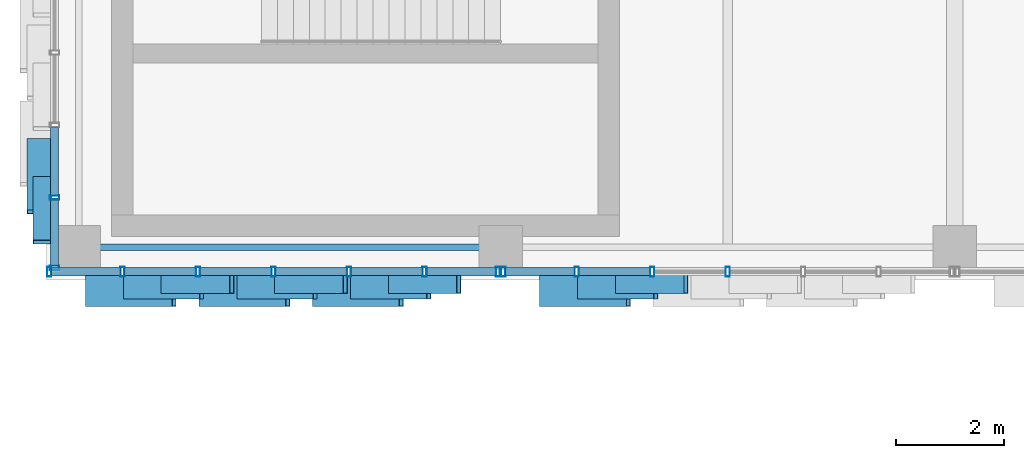
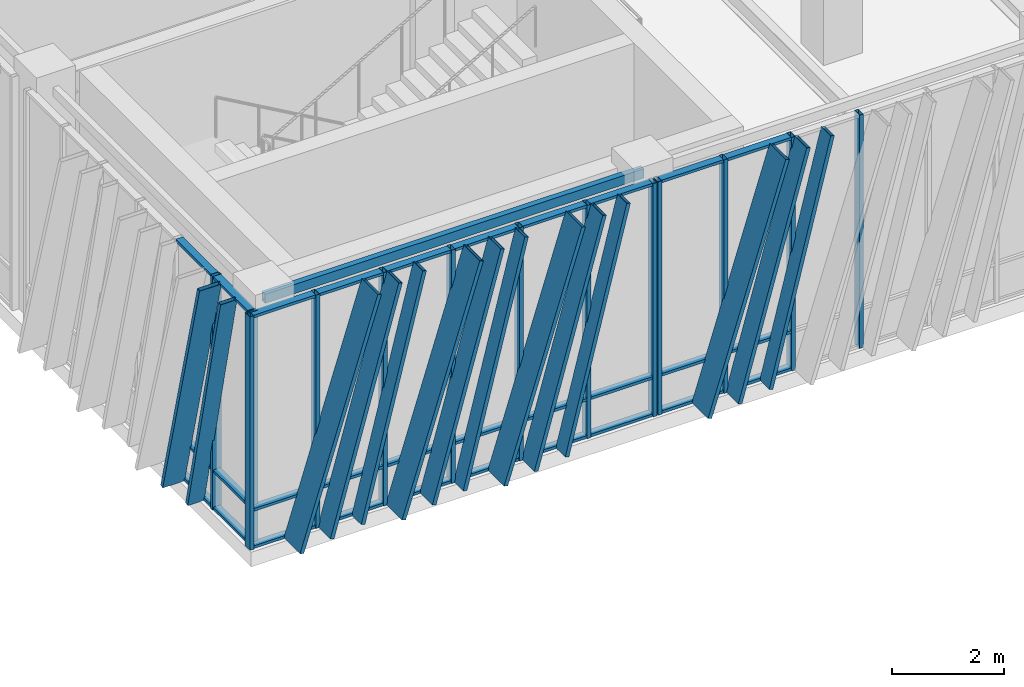
# One storey, part 13 of 139: 57 members, 1 beam, 3 elements without a shape of their own.
"""IFC4 building model written with IfcOpenShell, lengths in metres."""

from ifc_helpers import new_model, si_unit, direction, frame, origin, origin_2d, place, context, subcontext, project, spatial, hollow_rectangle, extrude, material, layer, layer_set, material_profile, profile_set, type_object, element, aggregate, save


model = new_model("IFC4")

# Units and contexts
model_context = context("Model", 3, precision=1e-05, world=origin(), true_north=direction((0.0, 1.0)))
body_context = subcontext(model_context, "Body", "Model", "MODEL_VIEW")
ifc_project = project(units=[si_unit("LENGTHUNIT", "METRE"), si_unit("AREAUNIT", "SQUARE_METRE"), si_unit("VOLUMEUNIT", "CUBIC_METRE"), si_unit("PLANEANGLEUNIT", "RADIAN"), si_unit("MASSUNIT", "GRAM", prefix="KILO")], contexts=[model_context])

# Site, building, storey
site_placement = place(None, origin())
site = spatial("IfcSite", under=ifc_project, at=site_placement, CompositionType="ELEMENT")
building_placement = place(site_placement, origin())
building = spatial("IfcBuilding", under=site, at=building_placement, Name="Zayran Congress Hotel", CompositionType="ELEMENT")
storey_placement = place(building_placement, frame((0.0, 0.0, 5.39990234375)))
storey = spatial("IfcBuildingStorey", under=building, at=storey_placement, Name="L01", CompositionType="ELEMENT", Elevation=5.39990234375)

# Beam
ifc_material_1 = material(Name="Steel S355", Category="steel")
ifc_material_profile_1 = material_profile(ifc_material_1, hollow_rectangle(XDim=0.1201171875, YDim=0.199951171875, WallThickness=0.008056640625, at=origin_2d()), Name="RHS 200x120x8")
ifc_profile_set_1 = profile_set([ifc_material_profile_1], Name="Steel S355")
beam_type = type_object("IfcBeamType", Name="TP-SP-02", PredefinedType="SPANDREL", material=ifc_profile_set_1)
beam_placement = place(storey_placement, frame((9.0, 68.199951171875, 4.97998046875), z_axis=(1.0, 0.0, 0.0), x_axis=(0.0, 1.0, 0.0)))
element("IfcBeam", 1, at=beam_placement, inside=storey, type_object=beam_type, Name="BM-V1-L01-0513", PredefinedType="SPANDREL", context=body_context, shape_type="SweptSolid", body=[
    extrude(hollow_rectangle(XDim=0.1201171875, YDim=0.199951171875, WallThickness=0.008056640625, at=origin_2d()), origin(), (0.0, 0.0, 1.0), 7.800048828125),
])

# Curtain wall, members
ifc_material_2 = material(Name="Anodised aluminium and low-E insulated glass", Category="aluminium")
ifc_layer_1 = layer(ifc_material_2, 0.179931640625)
ifc_layer_set_1 = layer_set([ifc_layer_1], Name="Anodised aluminium and low-E insulated glass")
curtain_wall_type_1 = type_object("IfcCurtainWallType", Name="CW-V1S-L01-CW-11-8380-5080", PredefinedType="USERDEFINED", material=ifc_layer_set_1)
curtain_wall_1_placement = place(storey_placement, origin())
curtain_wall_1 = element("IfcCurtainWall", 2, at=curtain_wall_1_placement, inside=storey, type_object=curtain_wall_type_1, Name="CW-V1S-L01-0", ObjectType="CURTAIN WALL", PredefinedType="USERDEFINED")
ifc_material_3 = material(Name="Anodised aluminium framing", Category="aluminium")
ifc_material_profile_2 = material_profile(ifc_material_3, hollow_rectangle(XDim=0.080078125, YDim=0.179931640625, WallThickness=0.0048828125, at=origin_2d()), Name="RHS 180x80x5")
ifc_profile_set_2 = profile_set([ifc_material_profile_2], Name="Anodised aluminium framing")
member_type_1 = type_object("IfcMemberType", Name="TP-CWM-01", PredefinedType="MULLION", material=ifc_profile_set_2)
member_1_placement = place(storey_placement, frame((8.449951171875, 67.75, 0.0), z_axis=(0.0, 0.0, 1.0), x_axis=(1.0, 0.0, 0.0)))
member_1 = element("IfcMember", 3, at=member_1_placement, type_object=member_type_1, Name="CW-V1S-L01-0-M00", PredefinedType="MULLION", context=body_context, shape_type="SweptSolid", body=[
    extrude(hollow_rectangle(XDim=0.080078125, YDim=0.179931640625, WallThickness=0.0048828125, at=origin_2d()), origin(), (0.0, 0.0, 1.0), 5.080078125),
])
member_2_placement = place(storey_placement, frame((9.806640625, 67.75, 0.0), z_axis=(0.0, 0.0, 1.0), x_axis=(1.0, 0.0, 0.0)))
member_2 = element("IfcMember", 4, at=member_2_placement, type_object=member_type_1, Name="CW-V1S-L01-0-M01", PredefinedType="MULLION", context=body_context, shape_type="SweptSolid", body=[
    extrude(hollow_rectangle(XDim=0.080078125, YDim=0.179931640625, WallThickness=0.0048828125, at=origin_2d()), origin(), (0.0, 0.0, 1.0), 5.080078125),
])
member_3_placement = place(storey_placement, frame((11.203369140625, 67.75, 0.0), z_axis=(0.0, 0.0, 1.0), x_axis=(1.0, 0.0, 0.0)))
member_3 = element("IfcMember", 5, at=member_3_placement, type_object=member_type_1, Name="CW-V1S-L01-0-M02", PredefinedType="MULLION", context=body_context, shape_type="SweptSolid", body=[
    extrude(hollow_rectangle(XDim=0.080078125, YDim=0.179931640625, WallThickness=0.0048828125, at=origin_2d()), origin(), (0.0, 0.0, 1.0), 5.080078125),
])
member_4_placement = place(storey_placement, frame((12.60009765625, 67.75, 0.0), z_axis=(0.0, 0.0, 1.0), x_axis=(1.0, 0.0, 0.0)))
member_4 = element("IfcMember", 6, at=member_4_placement, type_object=member_type_1, Name="CW-V1S-L01-0-M03", PredefinedType="MULLION", context=body_context, shape_type="SweptSolid", body=[
    extrude(hollow_rectangle(XDim=0.080078125, YDim=0.179931640625, WallThickness=0.0048828125, at=origin_2d()), origin(), (0.0, 0.0, 1.0), 5.080078125),
])
member_5_placement = place(storey_placement, frame((13.99658203125, 67.75, 0.0), z_axis=(0.0, 0.0, 1.0), x_axis=(1.0, 0.0, 0.0)))
member_5 = element("IfcMember", 7, at=member_5_placement, type_object=member_type_1, Name="CW-V1S-L01-0-M04", PredefinedType="MULLION", context=body_context, shape_type="SweptSolid", body=[
    extrude(hollow_rectangle(XDim=0.080078125, YDim=0.179931640625, WallThickness=0.0048828125, at=origin_2d()), origin(), (0.0, 0.0, 1.0), 5.080078125),
])
member_6_placement = place(storey_placement, frame((15.393310546875, 67.75, 0.0), z_axis=(0.0, 0.0, 1.0), x_axis=(1.0, 0.0, 0.0)))
member_6 = element("IfcMember", 8, at=member_6_placement, type_object=member_type_1, Name="CW-V1S-L01-0-M05", PredefinedType="MULLION", context=body_context, shape_type="SweptSolid", body=[
    extrude(hollow_rectangle(XDim=0.080078125, YDim=0.179931640625, WallThickness=0.0048828125, at=origin_2d()), origin(), (0.0, 0.0, 1.0), 5.080078125),
])
member_7_placement = place(storey_placement, frame((16.75, 67.75, 0.0), z_axis=(0.0, 0.0, 1.0), x_axis=(1.0, 0.0, 0.0)))
member_7 = element("IfcMember", 9, at=member_7_placement, type_object=member_type_1, Name="CW-V1S-L01-0-M06", PredefinedType="MULLION", context=body_context, shape_type="SweptSolid", body=[
    extrude(hollow_rectangle(XDim=0.080078125, YDim=0.179931640625, WallThickness=0.0048828125, at=origin_2d()), origin(), (0.0, 0.0, 1.0), 5.080078125),
])

ifc_layer_2 = layer(ifc_material_2, 0.179931640625)
ifc_layer_set_2 = layer_set([ifc_layer_2], Name="Anodised aluminium and low-E insulated glass")
curtain_wall_type_2 = type_object("IfcCurtainWallType", Name="CW-V1S-L01-CW-12-8380-5080", PredefinedType="USERDEFINED", material=ifc_layer_set_2)
curtain_wall_2_placement = place(storey_placement, origin())
curtain_wall_2 = element("IfcCurtainWall", 10, at=curtain_wall_2_placement, inside=storey, type_object=curtain_wall_type_2, Name="CW-V1S-L01-1", ObjectType="CURTAIN WALL", PredefinedType="USERDEFINED")
member_8_placement = place(storey_placement, frame((16.85009765625, 67.75, 0.0), z_axis=(0.0, 0.0, 1.0), x_axis=(1.0, 0.0, 0.0)))
member_8 = element("IfcMember", 11, at=member_8_placement, type_object=member_type_1, Name="CW-V1S-L01-1-M00", PredefinedType="MULLION", context=body_context, shape_type="SweptSolid", body=[
    extrude(hollow_rectangle(XDim=0.080078125, YDim=0.179931640625, WallThickness=0.0048828125, at=origin_2d()), origin(), (0.0, 0.0, 1.0), 5.080078125),
])
member_9_placement = place(storey_placement, frame((18.206787109375, 67.75, 0.0), z_axis=(0.0, 0.0, 1.0), x_axis=(1.0, 0.0, 0.0)))
member_9 = element("IfcMember", 12, at=member_9_placement, type_object=member_type_1, Name="CW-V1S-L01-1-M01", PredefinedType="MULLION", context=body_context, shape_type="SweptSolid", body=[
    extrude(hollow_rectangle(XDim=0.080078125, YDim=0.179931640625, WallThickness=0.0048828125, at=origin_2d()), origin(), (0.0, 0.0, 1.0), 5.080078125),
])
member_10_placement = place(storey_placement, frame((19.603271484375, 67.75, 0.0), z_axis=(0.0, 0.0, 1.0), x_axis=(1.0, 0.0, 0.0)))
member_10 = element("IfcMember", 13, at=member_10_placement, type_object=member_type_1, Name="CW-V1S-L01-1-M02", PredefinedType="MULLION", context=body_context, shape_type="SweptSolid", body=[
    extrude(hollow_rectangle(XDim=0.080078125, YDim=0.179931640625, WallThickness=0.0048828125, at=origin_2d()), origin(), (0.0, 0.0, 1.0), 5.080078125),
])
member_11_placement = place(storey_placement, frame((21.0, 67.75, 0.0), z_axis=(0.0, 0.0, 1.0), x_axis=(1.0, 0.0, 0.0)))
member_11 = element("IfcMember", 14, at=member_11_placement, type_object=member_type_1, Name="CW-V1S-L01-1-M03", PredefinedType="MULLION", context=body_context, shape_type="SweptSolid", body=[
    extrude(hollow_rectangle(XDim=0.080078125, YDim=0.179931640625, WallThickness=0.0048828125, at=origin_2d()), origin(), (0.0, 0.0, 1.0), 5.080078125),
])

ifc_layer_3 = layer(ifc_material_2, 0.179931640625)
ifc_layer_set_3 = layer_set([ifc_layer_3], Name="Anodised aluminium and low-E insulated glass")
curtain_wall_type_3 = type_object("IfcCurtainWallType", Name="CW-V1W-L01-CW-31-8040-5080", PredefinedType="USERDEFINED", material=ifc_layer_set_3)
curtain_wall_3_placement = place(storey_placement, origin())
curtain_wall_3 = element("IfcCurtainWall", 15, at=curtain_wall_3_placement, inside=storey, type_object=curtain_wall_type_3, Name="CW-V1W-L01-0", ObjectType="CURTAIN WALL", PredefinedType="USERDEFINED")
member_12_placement = place(storey_placement, frame((8.550048828125, 69.1201171875, 0.0), z_axis=(0.0, 0.0, 1.0), x_axis=(0.0, 1.0, 0.0)))
member_12 = element("IfcMember", 16, at=member_12_placement, type_object=member_type_1, Name="CW-V1W-L01-0-M05", PredefinedType="MULLION", context=body_context, shape_type="SweptSolid", body=[
    extrude(hollow_rectangle(XDim=0.080078125, YDim=0.179931640625, WallThickness=0.0048828125, at=origin_2d()), origin(), (0.0, 0.0, 1.0), 5.080078125),
])
member_13_placement = place(storey_placement, frame((8.550048828125, 67.820068359375, 0.0), z_axis=(0.0, 0.0, 1.0), x_axis=(0.0, 1.0, 0.0)))
member_13 = element("IfcMember", 17, at=member_13_placement, type_object=member_type_1, Name="CW-V1W-L01-0-M06", PredefinedType="MULLION", context=body_context, shape_type="SweptSolid", body=[
    extrude(hollow_rectangle(XDim=0.080078125, YDim=0.179931640625, WallThickness=0.0048828125, at=origin_2d()), origin(), (0.0, 0.0, 1.0), 5.080078125),
])

# Member
ifc_material_profile_3 = material_profile(ifc_material_3, hollow_rectangle(XDim=0.06005859375, YDim=0.14990234375, WallThickness=0.00390625, at=origin_2d()), Name="RHS 150x60x4")
ifc_profile_set_3 = profile_set([ifc_material_profile_3], Name="Anodised aluminium framing")
member_type_2 = type_object("IfcMemberType", Name="TP-CWT-01", PredefinedType="USERDEFINED", material=ifc_profile_set_3)
member_14_placement = place(storey_placement, frame((8.489990234375, 67.75, 0.030029296875), z_axis=(1.0, 0.0, 0.0), x_axis=(0.0, 0.0, 1.0)))
member_14 = element("IfcMember", 18, at=member_14_placement, type_object=member_type_2, Name="CW-V1S-L01-0-T00-0", ObjectType="TRANSOM", PredefinedType="USERDEFINED", context=body_context, shape_type="SweptSolid", body=[
    extrude(hollow_rectangle(XDim=0.06005859375, YDim=0.14990234375, WallThickness=0.00390625, at=origin_2d()), origin(), (0.0, 0.0, 1.0), 1.276611328125),
])

member_15_placement = place(storey_placement, frame((8.489990234375, 67.75, 0.840087890625), z_axis=(1.0, 0.0, 0.0), x_axis=(0.0, 0.0, 1.0)))
member_15 = element("IfcMember", 19, at=member_15_placement, type_object=member_type_2, Name="CW-V1S-L01-0-T00-1", ObjectType="TRANSOM", PredefinedType="USERDEFINED", context=body_context, shape_type="SweptSolid", body=[
    extrude(hollow_rectangle(XDim=0.06005859375, YDim=0.14990234375, WallThickness=0.00390625, at=origin_2d()), origin(), (0.0, 0.0, 1.0), 1.276611328125),
])

member_16_placement = place(storey_placement, frame((8.489990234375, 67.75, 5.050048828125), z_axis=(1.0, 0.0, 0.0), x_axis=(0.0, 0.0, 1.0)))
member_16 = element("IfcMember", 20, at=member_16_placement, type_object=member_type_2, Name="CW-V1S-L01-0-T00-2", ObjectType="TRANSOM", PredefinedType="USERDEFINED", context=body_context, shape_type="SweptSolid", body=[
    extrude(hollow_rectangle(XDim=0.06005859375, YDim=0.14990234375, WallThickness=0.00390625, at=origin_2d()), origin(), (0.0, 0.0, 1.0), 1.276611328125),
])

member_17_placement = place(storey_placement, frame((9.8466796875, 67.75, 0.030029296875), z_axis=(1.0, 0.0, 0.0), x_axis=(0.0, 0.0, 1.0)))
member_17 = element("IfcMember", 21, at=member_17_placement, type_object=member_type_2, Name="CW-V1S-L01-0-T01-0", ObjectType="TRANSOM", PredefinedType="USERDEFINED", context=body_context, shape_type="SweptSolid", body=[
    extrude(hollow_rectangle(XDim=0.06005859375, YDim=0.14990234375, WallThickness=0.00390625, at=origin_2d()), origin(), (0.0, 0.0, 1.0), 1.316650390625),
])

member_18_placement = place(storey_placement, frame((9.8466796875, 67.75, 0.840087890625), z_axis=(1.0, 0.0, 0.0), x_axis=(0.0, 0.0, 1.0)))
member_18 = element("IfcMember", 22, at=member_18_placement, type_object=member_type_2, Name="CW-V1S-L01-0-T01-1", ObjectType="TRANSOM", PredefinedType="USERDEFINED", context=body_context, shape_type="SweptSolid", body=[
    extrude(hollow_rectangle(XDim=0.06005859375, YDim=0.14990234375, WallThickness=0.00390625, at=origin_2d()), origin(), (0.0, 0.0, 1.0), 1.316650390625),
])

member_19_placement = place(storey_placement, frame((9.8466796875, 67.75, 5.050048828125), z_axis=(1.0, 0.0, 0.0), x_axis=(0.0, 0.0, 1.0)))
member_19 = element("IfcMember", 23, at=member_19_placement, type_object=member_type_2, Name="CW-V1S-L01-0-T01-2", ObjectType="TRANSOM", PredefinedType="USERDEFINED", context=body_context, shape_type="SweptSolid", body=[
    extrude(hollow_rectangle(XDim=0.06005859375, YDim=0.14990234375, WallThickness=0.00390625, at=origin_2d()), origin(), (0.0, 0.0, 1.0), 1.316650390625),
])

member_20_placement = place(storey_placement, frame((11.243408203125, 67.75, 0.030029296875), z_axis=(1.0, 0.0, 0.0), x_axis=(0.0, 0.0, 1.0)))
member_20 = element("IfcMember", 24, at=member_20_placement, type_object=member_type_2, Name="CW-V1S-L01-0-T02-0", ObjectType="TRANSOM", PredefinedType="USERDEFINED", context=body_context, shape_type="SweptSolid", body=[
    extrude(hollow_rectangle(XDim=0.06005859375, YDim=0.14990234375, WallThickness=0.00390625, at=origin_2d()), origin(), (0.0, 0.0, 1.0), 1.316650390625),
])

member_21_placement = place(storey_placement, frame((11.243408203125, 67.75, 0.840087890625), z_axis=(1.0, 0.0, 0.0), x_axis=(0.0, 0.0, 1.0)))
member_21 = element("IfcMember", 25, at=member_21_placement, type_object=member_type_2, Name="CW-V1S-L01-0-T02-1", ObjectType="TRANSOM", PredefinedType="USERDEFINED", context=body_context, shape_type="SweptSolid", body=[
    extrude(hollow_rectangle(XDim=0.06005859375, YDim=0.14990234375, WallThickness=0.00390625, at=origin_2d()), origin(), (0.0, 0.0, 1.0), 1.316650390625),
])

member_22_placement = place(storey_placement, frame((11.243408203125, 67.75, 5.050048828125), z_axis=(1.0, 0.0, 0.0), x_axis=(0.0, 0.0, 1.0)))
member_22 = element("IfcMember", 26, at=member_22_placement, type_object=member_type_2, Name="CW-V1S-L01-0-T02-2", ObjectType="TRANSOM", PredefinedType="USERDEFINED", context=body_context, shape_type="SweptSolid", body=[
    extrude(hollow_rectangle(XDim=0.06005859375, YDim=0.14990234375, WallThickness=0.00390625, at=origin_2d()), origin(), (0.0, 0.0, 1.0), 1.316650390625),
])

member_23_placement = place(storey_placement, frame((12.639892578125, 67.75, 0.030029296875), z_axis=(1.0, 0.0, 0.0), x_axis=(0.0, 0.0, 1.0)))
member_23 = element("IfcMember", 27, at=member_23_placement, type_object=member_type_2, Name="CW-V1S-L01-0-T03-0", ObjectType="TRANSOM", PredefinedType="USERDEFINED", context=body_context, shape_type="SweptSolid", body=[
    extrude(hollow_rectangle(XDim=0.06005859375, YDim=0.14990234375, WallThickness=0.00390625, at=origin_2d()), origin(), (0.0, 0.0, 1.0), 1.31689453125),
])

member_24_placement = place(storey_placement, frame((12.639892578125, 67.75, 0.840087890625), z_axis=(1.0, 0.0, 0.0), x_axis=(0.0, 0.0, 1.0)))
member_24 = element("IfcMember", 28, at=member_24_placement, type_object=member_type_2, Name="CW-V1S-L01-0-T03-1", ObjectType="TRANSOM", PredefinedType="USERDEFINED", context=body_context, shape_type="SweptSolid", body=[
    extrude(hollow_rectangle(XDim=0.06005859375, YDim=0.14990234375, WallThickness=0.00390625, at=origin_2d()), origin(), (0.0, 0.0, 1.0), 1.31689453125),
])

member_25_placement = place(storey_placement, frame((12.639892578125, 67.75, 5.050048828125), z_axis=(1.0, 0.0, 0.0), x_axis=(0.0, 0.0, 1.0)))
member_25 = element("IfcMember", 29, at=member_25_placement, type_object=member_type_2, Name="CW-V1S-L01-0-T03-2", ObjectType="TRANSOM", PredefinedType="USERDEFINED", context=body_context, shape_type="SweptSolid", body=[
    extrude(hollow_rectangle(XDim=0.06005859375, YDim=0.14990234375, WallThickness=0.00390625, at=origin_2d()), origin(), (0.0, 0.0, 1.0), 1.31689453125),
])

member_26_placement = place(storey_placement, frame((14.03662109375, 67.75, 0.030029296875), z_axis=(1.0, 0.0, 0.0), x_axis=(0.0, 0.0, 1.0)))
member_26 = element("IfcMember", 30, at=member_26_placement, type_object=member_type_2, Name="CW-V1S-L01-0-T04-0", ObjectType="TRANSOM", PredefinedType="USERDEFINED", context=body_context, shape_type="SweptSolid", body=[
    extrude(hollow_rectangle(XDim=0.06005859375, YDim=0.14990234375, WallThickness=0.00390625, at=origin_2d()), origin(), (0.0, 0.0, 1.0), 1.316650390625),
])

member_27_placement = place(storey_placement, frame((14.03662109375, 67.75, 0.840087890625), z_axis=(1.0, 0.0, 0.0), x_axis=(0.0, 0.0, 1.0)))
member_27 = element("IfcMember", 31, at=member_27_placement, type_object=member_type_2, Name="CW-V1S-L01-0-T04-1", ObjectType="TRANSOM", PredefinedType="USERDEFINED", context=body_context, shape_type="SweptSolid", body=[
    extrude(hollow_rectangle(XDim=0.06005859375, YDim=0.14990234375, WallThickness=0.00390625, at=origin_2d()), origin(), (0.0, 0.0, 1.0), 1.316650390625),
])

member_28_placement = place(storey_placement, frame((14.03662109375, 67.75, 5.050048828125), z_axis=(1.0, 0.0, 0.0), x_axis=(0.0, 0.0, 1.0)))
member_28 = element("IfcMember", 32, at=member_28_placement, type_object=member_type_2, Name="CW-V1S-L01-0-T04-2", ObjectType="TRANSOM", PredefinedType="USERDEFINED", context=body_context, shape_type="SweptSolid", body=[
    extrude(hollow_rectangle(XDim=0.06005859375, YDim=0.14990234375, WallThickness=0.00390625, at=origin_2d()), origin(), (0.0, 0.0, 1.0), 1.316650390625),
])

member_29_placement = place(storey_placement, frame((15.433349609375, 67.75, 0.030029296875), z_axis=(1.0, 0.0, 0.0), x_axis=(0.0, 0.0, 1.0)))
member_29 = element("IfcMember", 33, at=member_29_placement, type_object=member_type_2, Name="CW-V1S-L01-0-T05-0", ObjectType="TRANSOM", PredefinedType="USERDEFINED", context=body_context, shape_type="SweptSolid", body=[
    extrude(hollow_rectangle(XDim=0.06005859375, YDim=0.14990234375, WallThickness=0.00390625, at=origin_2d()), origin(), (0.0, 0.0, 1.0), 1.276611328125),
])

member_30_placement = place(storey_placement, frame((15.433349609375, 67.75, 0.840087890625), z_axis=(1.0, 0.0, 0.0), x_axis=(0.0, 0.0, 1.0)))
member_30 = element("IfcMember", 34, at=member_30_placement, type_object=member_type_2, Name="CW-V1S-L01-0-T05-1", ObjectType="TRANSOM", PredefinedType="USERDEFINED", context=body_context, shape_type="SweptSolid", body=[
    extrude(hollow_rectangle(XDim=0.06005859375, YDim=0.14990234375, WallThickness=0.00390625, at=origin_2d()), origin(), (0.0, 0.0, 1.0), 1.276611328125),
])

member_31_placement = place(storey_placement, frame((15.433349609375, 67.75, 5.050048828125), z_axis=(1.0, 0.0, 0.0), x_axis=(0.0, 0.0, 1.0)))
member_31 = element("IfcMember", 35, at=member_31_placement, type_object=member_type_2, Name="CW-V1S-L01-0-T05-2", ObjectType="TRANSOM", PredefinedType="USERDEFINED", context=body_context, shape_type="SweptSolid", body=[
    extrude(hollow_rectangle(XDim=0.06005859375, YDim=0.14990234375, WallThickness=0.00390625, at=origin_2d()), origin(), (0.0, 0.0, 1.0), 1.276611328125),
])

member_32_placement = place(storey_placement, frame((16.889892578125, 67.75, 0.030029296875), z_axis=(1.0, 0.0, 0.0), x_axis=(0.0, 0.0, 1.0)))
member_32 = element("IfcMember", 36, at=member_32_placement, type_object=member_type_2, Name="CW-V1S-L01-1-T00-0", ObjectType="TRANSOM", PredefinedType="USERDEFINED", context=body_context, shape_type="SweptSolid", body=[
    extrude(hollow_rectangle(XDim=0.06005859375, YDim=0.14990234375, WallThickness=0.00390625, at=origin_2d()), origin(), (0.0, 0.0, 1.0), 1.27685546875),
])

member_33_placement = place(storey_placement, frame((16.889892578125, 67.75, 0.840087890625), z_axis=(1.0, 0.0, 0.0), x_axis=(0.0, 0.0, 1.0)))
member_33 = element("IfcMember", 37, at=member_33_placement, type_object=member_type_2, Name="CW-V1S-L01-1-T00-1", ObjectType="TRANSOM", PredefinedType="USERDEFINED", context=body_context, shape_type="SweptSolid", body=[
    extrude(hollow_rectangle(XDim=0.06005859375, YDim=0.14990234375, WallThickness=0.00390625, at=origin_2d()), origin(), (0.0, 0.0, 1.0), 1.27685546875),
])

member_34_placement = place(storey_placement, frame((16.889892578125, 67.75, 5.050048828125), z_axis=(1.0, 0.0, 0.0), x_axis=(0.0, 0.0, 1.0)))
member_34 = element("IfcMember", 38, at=member_34_placement, type_object=member_type_2, Name="CW-V1S-L01-1-T00-2", ObjectType="TRANSOM", PredefinedType="USERDEFINED", context=body_context, shape_type="SweptSolid", body=[
    extrude(hollow_rectangle(XDim=0.06005859375, YDim=0.14990234375, WallThickness=0.00390625, at=origin_2d()), origin(), (0.0, 0.0, 1.0), 1.27685546875),
])

member_35_placement = place(storey_placement, frame((18.24658203125, 67.75, 0.030029296875), z_axis=(1.0, 0.0, 0.0), x_axis=(0.0, 0.0, 1.0)))
member_35 = element("IfcMember", 39, at=member_35_placement, type_object=member_type_2, Name="CW-V1S-L01-1-T01-0", ObjectType="TRANSOM", PredefinedType="USERDEFINED", context=body_context, shape_type="SweptSolid", body=[
    extrude(hollow_rectangle(XDim=0.06005859375, YDim=0.14990234375, WallThickness=0.00390625, at=origin_2d()), origin(), (0.0, 0.0, 1.0), 1.316650390625),
])

member_36_placement = place(storey_placement, frame((18.24658203125, 67.75, 0.840087890625), z_axis=(1.0, 0.0, 0.0), x_axis=(0.0, 0.0, 1.0)))
member_36 = element("IfcMember", 40, at=member_36_placement, type_object=member_type_2, Name="CW-V1S-L01-1-T01-1", ObjectType="TRANSOM", PredefinedType="USERDEFINED", context=body_context, shape_type="SweptSolid", body=[
    extrude(hollow_rectangle(XDim=0.06005859375, YDim=0.14990234375, WallThickness=0.00390625, at=origin_2d()), origin(), (0.0, 0.0, 1.0), 1.316650390625),
])

member_37_placement = place(storey_placement, frame((18.24658203125, 67.75, 5.050048828125), z_axis=(1.0, 0.0, 0.0), x_axis=(0.0, 0.0, 1.0)))
member_37 = element("IfcMember", 41, at=member_37_placement, type_object=member_type_2, Name="CW-V1S-L01-1-T01-2", ObjectType="TRANSOM", PredefinedType="USERDEFINED", context=body_context, shape_type="SweptSolid", body=[
    extrude(hollow_rectangle(XDim=0.06005859375, YDim=0.14990234375, WallThickness=0.00390625, at=origin_2d()), origin(), (0.0, 0.0, 1.0), 1.316650390625),
])

member_38_placement = place(storey_placement, frame((8.550048828125, 70.419921875, 0.030029296875), z_axis=(0.0, -1.0, 0.0), x_axis=(0.0, 0.0, 1.0)))
member_38 = element("IfcMember", 42, at=member_38_placement, type_object=member_type_2, Name="CW-V1W-L01-0-T04-0", ObjectType="TRANSOM", PredefinedType="USERDEFINED", context=body_context, shape_type="SweptSolid", body=[
    extrude(hollow_rectangle(XDim=0.06005859375, YDim=0.14990234375, WallThickness=0.00390625, at=origin_2d()), origin(), (0.0, 0.0, 1.0), 1.260009765625),
])

member_39_placement = place(storey_placement, frame((8.550048828125, 70.419921875, 0.840087890625), z_axis=(0.0, -1.0, 0.0), x_axis=(0.0, 0.0, 1.0)))
member_39 = element("IfcMember", 43, at=member_39_placement, type_object=member_type_2, Name="CW-V1W-L01-0-T04-1", ObjectType="TRANSOM", PredefinedType="USERDEFINED", context=body_context, shape_type="SweptSolid", body=[
    extrude(hollow_rectangle(XDim=0.06005859375, YDim=0.14990234375, WallThickness=0.00390625, at=origin_2d()), origin(), (0.0, 0.0, 1.0), 1.260009765625),
])

member_40_placement = place(storey_placement, frame((8.550048828125, 70.419921875, 5.050048828125), z_axis=(0.0, -1.0, 0.0), x_axis=(0.0, 0.0, 1.0)))
member_40 = element("IfcMember", 44, at=member_40_placement, type_object=member_type_2, Name="CW-V1W-L01-0-T04-2", ObjectType="TRANSOM", PredefinedType="USERDEFINED", context=body_context, shape_type="SweptSolid", body=[
    extrude(hollow_rectangle(XDim=0.06005859375, YDim=0.14990234375, WallThickness=0.00390625, at=origin_2d()), origin(), (0.0, 0.0, 1.0), 1.260009765625),
])

member_41_placement = place(storey_placement, frame((8.550048828125, 69.080078125, 0.030029296875), z_axis=(0.0, -1.0, 0.0), x_axis=(0.0, 0.0, 1.0)))
member_41 = element("IfcMember", 45, at=member_41_placement, type_object=member_type_2, Name="CW-V1W-L01-0-T05-0", ObjectType="TRANSOM", PredefinedType="USERDEFINED", context=body_context, shape_type="SweptSolid", body=[
    extrude(hollow_rectangle(XDim=0.06005859375, YDim=0.14990234375, WallThickness=0.00390625, at=origin_2d()), origin(), (0.0, 0.0, 1.0), 1.219970703125),
])

member_42_placement = place(storey_placement, frame((8.550048828125, 69.080078125, 0.840087890625), z_axis=(0.0, -1.0, 0.0), x_axis=(0.0, 0.0, 1.0)))
member_42 = element("IfcMember", 46, at=member_42_placement, type_object=member_type_2, Name="CW-V1W-L01-0-T05-1", ObjectType="TRANSOM", PredefinedType="USERDEFINED", context=body_context, shape_type="SweptSolid", body=[
    extrude(hollow_rectangle(XDim=0.06005859375, YDim=0.14990234375, WallThickness=0.00390625, at=origin_2d()), origin(), (0.0, 0.0, 1.0), 1.219970703125),
])

member_43_placement = place(storey_placement, frame((8.550048828125, 69.080078125, 5.050048828125), z_axis=(0.0, -1.0, 0.0), x_axis=(0.0, 0.0, 1.0)))
member_43 = element("IfcMember", 47, at=member_43_placement, type_object=member_type_2, Name="CW-V1W-L01-0-T05-2", ObjectType="TRANSOM", PredefinedType="USERDEFINED", context=body_context, shape_type="SweptSolid", body=[
    extrude(hollow_rectangle(XDim=0.06005859375, YDim=0.14990234375, WallThickness=0.00390625, at=origin_2d()), origin(), (0.0, 0.0, 1.0), 1.219970703125),
])

ifc_material_4 = material(Name="Warm bronze anodised aluminium", Category="aluminium")
ifc_material_profile_4 = material_profile(ifc_material_4, hollow_rectangle(XDim=0.080078125, YDim=0.580078125, WallThickness=0.006103515625, at=origin_2d()), Name="RHS 580x80x6")
ifc_profile_set_4 = profile_set([ifc_material_profile_4], Name="Warm bronze anodised aluminium")
member_type_3 = type_object("IfcMemberType", Name="TP-RFN-01", PredefinedType="MULLION", material=ifc_profile_set_4)
member_44_placement = place(storey_placement, frame((9.159912109375, 67.39990234375, 0.0), z_axis=(0.300716755525, 0.0, 0.953713496259), x_axis=(-0.953713496259, 0.0, 0.300716755525)))
member_44 = element("IfcMember", 48, at=member_44_placement, type_object=member_type_3, Name="Slanting Reed Mullion CW-11-01", PredefinedType="MULLION", context=body_context, shape_type="SweptSolid", body=[
    extrude(hollow_rectangle(XDim=0.080078125, YDim=0.580078125, WallThickness=0.006103515625, at=origin_2d()), origin(), (0.0, 0.0, 1.0), 5.32666015625),
])

member_45_placement = place(storey_placement, frame((11.260009765625, 67.39990234375, 0.0), z_axis=(0.300716755525, 0.0, 0.953713496259), x_axis=(-0.953713496259, 0.0, 0.300716755525)))
member_45 = element("IfcMember", 49, at=member_45_placement, type_object=member_type_3, Name="Slanting Reed Mullion CW-11-04", PredefinedType="MULLION", context=body_context, shape_type="SweptSolid", body=[
    extrude(hollow_rectangle(XDim=0.080078125, YDim=0.580078125, WallThickness=0.006103515625, at=origin_2d()), origin(), (0.0, 0.0, 1.0), 5.32666015625),
])

member_46_placement = place(storey_placement, frame((13.360107421875, 67.39990234375, 0.0), z_axis=(0.300675065474, 0.0, 0.953726640606), x_axis=(-0.953726640606, 0.0, 0.300675065474)))
member_46 = element("IfcMember", 50, at=member_46_placement, type_object=member_type_3, Name="Slanting Reed Mullion CW-11-07", PredefinedType="MULLION", context=body_context, shape_type="SweptSolid", body=[
    extrude(hollow_rectangle(XDim=0.080078125, YDim=0.580078125, WallThickness=0.006103515625, at=origin_2d()), origin(), (0.0, 0.0, 1.0), 5.32666015625),
])

member_47_placement = place(storey_placement, frame((17.56005859375, 67.39990234375, 0.0), z_axis=(0.300675065474, 0.0, 0.953726640606), x_axis=(-0.953726640606, 0.0, 0.300675065474)))
member_47 = element("IfcMember", 51, at=member_47_placement, type_object=member_type_3, Name="Slanting Reed Mullion CW-12-01", PredefinedType="MULLION", context=body_context, shape_type="SweptSolid", body=[
    extrude(hollow_rectangle(XDim=0.080078125, YDim=0.580078125, WallThickness=0.006103515625, at=origin_2d()), origin(), (0.0, 0.0, 1.0), 5.32666015625),
])

ifc_material_profile_5 = material_profile(ifc_material_4, hollow_rectangle(XDim=0.080078125, YDim=0.449951171875, WallThickness=0.006103515625, at=origin_2d()), Name="RHS 450x80x6")
ifc_profile_set_5 = profile_set([ifc_material_profile_5], Name="Warm bronze anodised aluminium")
member_type_4 = type_object("IfcMemberType", Name="TP-RFN-02", PredefinedType="MULLION", material=ifc_profile_set_5)
member_48_placement = place(storey_placement, frame((9.860107421875, 67.465087890625, 0.0), z_axis=(0.267213902124, 0.0, 0.963637240102), x_axis=(-0.963637240102, 0.0, 0.267213902124)))
member_48 = element("IfcMember", 52, at=member_48_placement, type_object=member_type_4, Name="Slanting Reed Mullion CW-11-02", PredefinedType="MULLION", context=body_context, shape_type="SweptSolid", body=[
    extrude(hollow_rectangle(XDim=0.080078125, YDim=0.449951171875, WallThickness=0.006103515625, at=origin_2d()), origin(), (0.0, 0.0, 1.0), 5.271728515625),
])

member_49_placement = place(storey_placement, frame((11.9599609375, 67.465087890625, 0.0), z_axis=(0.267256905477, 0.0, 0.96362531436), x_axis=(-0.96362531436, 0.0, 0.267256905477)))
member_49 = element("IfcMember", 53, at=member_49_placement, type_object=member_type_4, Name="Slanting Reed Mullion CW-11-05", PredefinedType="MULLION", context=body_context, shape_type="SweptSolid", body=[
    extrude(hollow_rectangle(XDim=0.080078125, YDim=0.449951171875, WallThickness=0.006103515625, at=origin_2d()), origin(), (0.0, 0.0, 1.0), 5.271728515625),
])

member_50_placement = place(storey_placement, frame((14.06005859375, 67.465087890625, 0.0), z_axis=(0.267213902124, 0.0, 0.963637240102), x_axis=(-0.963637240102, 0.0, 0.267213902124)))
member_50 = element("IfcMember", 54, at=member_50_placement, type_object=member_type_4, Name="Slanting Reed Mullion CW-11-08", PredefinedType="MULLION", context=body_context, shape_type="SweptSolid", body=[
    extrude(hollow_rectangle(XDim=0.080078125, YDim=0.449951171875, WallThickness=0.006103515625, at=origin_2d()), origin(), (0.0, 0.0, 1.0), 5.271728515625),
])

member_51_placement = place(storey_placement, frame((18.260009765625, 67.465087890625, 0.0), z_axis=(0.267213902124, 0.0, 0.963637240102), x_axis=(-0.963637240102, 0.0, 0.267213902124)))
member_51 = element("IfcMember", 55, at=member_51_placement, type_object=member_type_4, Name="Slanting Reed Mullion CW-12-02", PredefinedType="MULLION", context=body_context, shape_type="SweptSolid", body=[
    extrude(hollow_rectangle(XDim=0.080078125, YDim=0.449951171875, WallThickness=0.006103515625, at=origin_2d()), origin(), (0.0, 0.0, 1.0), 5.271728515625),
])

member_52_placement = place(storey_placement, frame((8.264892578125, 70.169921875, 0.0), z_axis=(0.0, -0.250366279854, 0.968151189594), x_axis=(0.0, 0.968151189594, 0.250366279854)))
member_52 = element("IfcMember", 56, at=member_52_placement, type_object=member_type_4, Name="Slanting Reed Mullion CW-31-08", PredefinedType="MULLION", context=body_context, shape_type="SweptSolid", body=[
    extrude(hollow_rectangle(XDim=0.080078125, YDim=0.449951171875, WallThickness=0.006103515625, at=origin_2d()), origin(), (0.0, 0.0, 1.0), 5.247314453125),
])

ifc_material_profile_6 = material_profile(ifc_material_4, hollow_rectangle(XDim=0.080078125, YDim=0.340087890625, WallThickness=0.006103515625, at=origin_2d()), Name="RHS 340x80x6")
ifc_profile_set_6 = profile_set([ifc_material_profile_6], Name="Warm bronze anodised aluminium")
member_type_5 = type_object("IfcMemberType", Name="TP-RFN-03", PredefinedType="MULLION", material=ifc_profile_set_6)
member_53_placement = place(storey_placement, frame((10.56005859375, 67.52001953125, 0.0), z_axis=(0.241921145618, 0.0, 0.970295913267), x_axis=(-0.970295913267, 0.0, 0.241921145618)))
member_53 = element("IfcMember", 57, at=member_53_placement, type_object=member_type_5, Name="Slanting Reed Mullion CW-11-03", PredefinedType="MULLION", context=body_context, shape_type="SweptSolid", body=[
    extrude(hollow_rectangle(XDim=0.080078125, YDim=0.340087890625, WallThickness=0.006103515625, at=origin_2d()), origin(), (0.0, 0.0, 1.0), 5.235595703125),
])

member_54_placement = place(storey_placement, frame((12.659912109375, 67.52001953125, 0.0), z_axis=(0.241921145618, 0.0, 0.970295913267), x_axis=(-0.970295913267, 0.0, 0.241921145618)))
member_54 = element("IfcMember", 58, at=member_54_placement, type_object=member_type_5, Name="Slanting Reed Mullion CW-11-06", PredefinedType="MULLION", context=body_context, shape_type="SweptSolid", body=[
    extrude(hollow_rectangle(XDim=0.080078125, YDim=0.340087890625, WallThickness=0.006103515625, at=origin_2d()), origin(), (0.0, 0.0, 1.0), 5.235595703125),
])

member_55_placement = place(storey_placement, frame((14.760009765625, 67.52001953125, 0.0), z_axis=(0.241921145618, 0.0, 0.970295913267), x_axis=(-0.970295913267, 0.0, 0.241921145618)))
member_55 = element("IfcMember", 59, at=member_55_placement, type_object=member_type_5, Name="Slanting Reed Mullion CW-11-09", PredefinedType="MULLION", context=body_context, shape_type="SweptSolid", body=[
    extrude(hollow_rectangle(XDim=0.080078125, YDim=0.340087890625, WallThickness=0.006103515625, at=origin_2d()), origin(), (0.0, 0.0, 1.0), 5.235595703125),
])

aggregate(curtain_wall_1, [member_1, member_2, member_3, member_4, member_5, member_6, member_7, member_14, member_15, member_16, member_17, member_18, member_19, member_20, member_21, member_22, member_23, member_24, member_25, member_26, member_27, member_28, member_29, member_30, member_31, member_44, member_48, member_53, member_45, member_49, member_54, member_46, member_50, member_55])

member_56_placement = place(storey_placement, frame((18.9599609375, 67.52001953125, 0.0), z_axis=(0.241921145618, 0.0, 0.970295913267), x_axis=(-0.970295913267, 0.0, 0.241921145618)))
member_56 = element("IfcMember", 60, at=member_56_placement, type_object=member_type_5, Name="Slanting Reed Mullion CW-12-03", PredefinedType="MULLION", context=body_context, shape_type="SweptSolid", body=[
    extrude(hollow_rectangle(XDim=0.080078125, YDim=0.340087890625, WallThickness=0.006103515625, at=origin_2d()), origin(), (0.0, 0.0, 1.0), 5.235595703125),
])

aggregate(curtain_wall_2, [member_8, member_9, member_10, member_11, member_32, member_33, member_34, member_35, member_36, member_37, member_47, member_51, member_56])

member_57_placement = place(storey_placement, frame((8.320068359375, 69.469970703125, 0.0), z_axis=(0.0, -0.224955263497, 0.974369093016), x_axis=(0.0, 0.974369093016, 0.224955263497)))
member_57 = element("IfcMember", 61, at=member_57_placement, type_object=member_type_5, Name="Slanting Reed Mullion CW-31-09", PredefinedType="MULLION", context=body_context, shape_type="SweptSolid", body=[
    extrude(hollow_rectangle(XDim=0.080078125, YDim=0.340087890625, WallThickness=0.006103515625, at=origin_2d()), origin(), (0.0, 0.0, 1.0), 5.213623046875),
])

aggregate(curtain_wall_3, [member_12, member_13, member_38, member_39, member_40, member_41, member_42, member_43, member_52, member_57])

save(model, "model.ifc")
